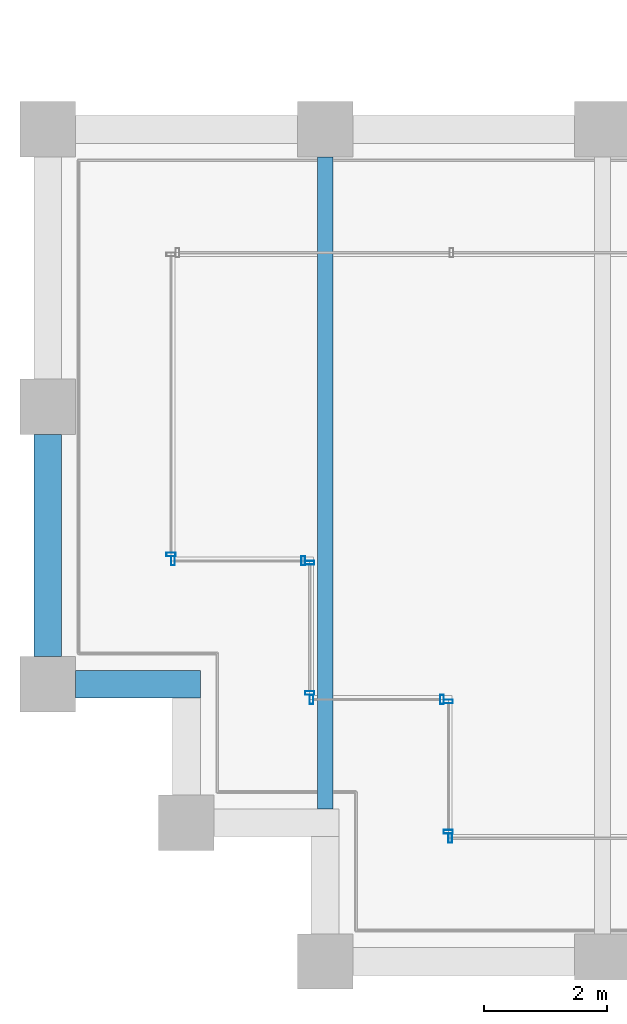
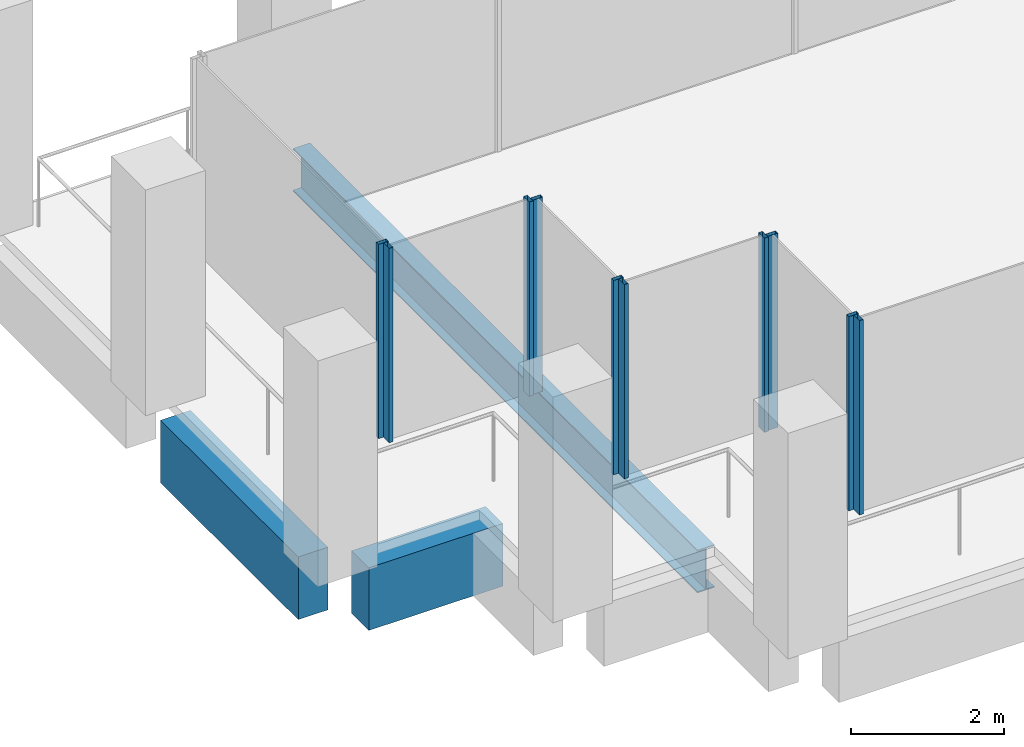
# One storey, part 2 of 40: 10 members, 3 beams, 6 elements without a shape of their own.
"""IFC4 building model written with IfcOpenShell, lengths in metres."""

from ifc_helpers import new_model, si_unit, direction, frame, origin, origin_2d, place, context, subcontext, project, spatial, rectangle, hollow_rectangle, i_section, extrude, material, material_profile, profile_set, type_object, element, aggregate, save


model = new_model("IFC4")

# Units and contexts
model_context = context("Model", 3, precision=1e-05, world=origin(), true_north=direction((0.0, 1.0)))
body_context = subcontext(model_context, "Body", "Model", "MODEL_VIEW")
ifc_project = project(units=[si_unit("LENGTHUNIT", "METRE"), si_unit("AREAUNIT", "SQUARE_METRE"), si_unit("VOLUMEUNIT", "CUBIC_METRE"), si_unit("PLANEANGLEUNIT", "RADIAN"), si_unit("MASSUNIT", "GRAM", prefix="KILO")], contexts=[model_context])

# Site, building, storey
site_placement = place(None, origin())
site = spatial("IfcSite", under=ifc_project, at=site_placement, CompositionType="ELEMENT")
building_placement = place(site_placement, origin())
building = spatial("IfcBuilding", under=site, at=building_placement, Name="Altepetl Exchange Towers", CompositionType="ELEMENT")
storey_placement = place(building_placement, frame((0.0, 0.0, 147.39990234375)))
storey = spatial("IfcBuildingStorey", under=building, at=storey_placement, Name="L36", CompositionType="ELEMENT", Elevation=147.39990234375)

# Beam
ifc_material_1 = material(Name="Steel S355", Category="steel")
ifc_material_profile_1 = material_profile(ifc_material_1, i_section(OverallWidth=0.25390625, OverallDepth=0.68408203125, WebThickness=0.012451171875, FlangeThickness=0.018798828125, at=origin_2d()), Name="W27X94")
ifc_profile_set_1 = profile_set([ifc_material_profile_1], Name="Steel S355")
beam_type_1 = type_object("IfcBeamType", Name="Floor beam W27X94", PredefinedType="BEAM", material=ifc_profile_set_1)
beam_1_placement = place(storey_placement, frame((31.5, 29.47509765625, -0.491943359375), z_axis=(0.0, 1.0, 0.0), x_axis=(-1.0, 0.0, 0.0)))
element("IfcBeam", 1, at=beam_1_placement, inside=storey, type_object=beam_type_1, Name="bm:A:L36:012", PredefinedType="BEAM", context=body_context, shape_type="SweptSolid", body=[
    extrude(i_section(OverallWidth=0.25390625, OverallDepth=0.68408203125, WebThickness=0.012451171875, FlangeThickness=0.018798828125, at=origin_2d()), origin(), (0.0, 0.0, 1.0), 10.574951171875),
])

# Curtain wall, member
ifc_material_2 = material(Name="Aluminium 6063-T6 glazing", Category="aluminium")
curtain_wall_type = type_object("IfcCurtainWallType", Name="Loggia glazing system", PredefinedType="NOTDEFINED", material=ifc_material_2)
curtain_wall_1_placement = place(storey_placement, origin())
curtain_wall_1 = element("IfcCurtainWall", 2, at=curtain_wall_1_placement, inside=storey, type_object=curtain_wall_type, Name="CW1 run", PredefinedType="NOTDEFINED")
ifc_material_3 = material(Name="Aluminium 6063-T6", Category="aluminium")
ifc_material_profile_2 = material_profile(ifc_material_3, hollow_rectangle(XDim=0.06005859375, YDim=0.14990234375, WallThickness=0.0029296875, at=origin_2d()), Name="Mullion 60x150 aluminium")
ifc_profile_set_2 = profile_set([ifc_material_profile_2], Name="Aluminium 6063-T6")
member_type = type_object("IfcMemberType", Name="Mullion 60x150 aluminium", PredefinedType="MULLION", material=ifc_profile_set_2)
member_1_placement = place(storey_placement, frame((29.0, 33.60498046875, 0.0), z_axis=(0.0, 0.0, 1.0), x_axis=(0.0, -1.0, 0.0)))
member_1 = element("IfcMember", 3, at=member_1_placement, type_object=member_type, Name="MU1 mullion", PredefinedType="MULLION", context=body_context, shape_type="SweptSolid", body=[
    extrude(hollow_rectangle(XDim=0.06005859375, YDim=0.14990234375, WallThickness=0.0029296875, at=origin_2d()), origin(), (0.0, 0.0, 1.0), 3.10009765625),
])
aggregate(curtain_wall_1, [member_1])

# Curtain wall, members
curtain_wall_2_placement = place(storey_placement, origin())
curtain_wall_2 = element("IfcCurtainWall", 4, at=curtain_wall_2_placement, inside=storey, type_object=curtain_wall_type, Name="CW1 run", PredefinedType="NOTDEFINED")
member_2_placement = place(storey_placement, frame((29.030029296875, 33.5, 0.0)))
member_2 = element("IfcMember", 5, at=member_2_placement, type_object=member_type, Name="MU1 mullion", PredefinedType="MULLION", context=body_context, shape_type="SweptSolid", body=[
    extrude(hollow_rectangle(XDim=0.06005859375, YDim=0.14990234375, WallThickness=0.0029296875, at=origin_2d()), origin(), (0.0, 0.0, 1.0), 3.10009765625),
])
member_3_placement = place(storey_placement, frame((31.14501953125, 33.5, 0.0)))
member_3 = element("IfcMember", 6, at=member_3_placement, type_object=member_type, Name="MU1 mullion", PredefinedType="MULLION", context=body_context, shape_type="SweptSolid", body=[
    extrude(hollow_rectangle(XDim=0.06005859375, YDim=0.14990234375, WallThickness=0.0029296875, at=origin_2d()), origin(), (0.0, 0.0, 1.0), 3.10009765625),
])
aggregate(curtain_wall_2, [member_2, member_3])

curtain_wall_3_placement = place(storey_placement, origin())
curtain_wall_3 = element("IfcCurtainWall", 7, at=curtain_wall_3_placement, inside=storey, type_object=curtain_wall_type, Name="CW1 run", PredefinedType="NOTDEFINED")
member_4_placement = place(storey_placement, frame((31.25, 33.469970703125, 0.0), z_axis=(0.0, 0.0, 1.0), x_axis=(0.0, -1.0, 0.0)))
member_4 = element("IfcMember", 8, at=member_4_placement, type_object=member_type, Name="MU1 mullion", PredefinedType="MULLION", context=body_context, shape_type="SweptSolid", body=[
    extrude(hollow_rectangle(XDim=0.06005859375, YDim=0.14990234375, WallThickness=0.0029296875, at=origin_2d()), origin(), (0.0, 0.0, 1.0), 3.10009765625),
])
member_5_placement = place(storey_placement, frame((31.25, 31.35498046875, 0.0), z_axis=(0.0, 0.0, 1.0), x_axis=(0.0, -1.0, 0.0)))
member_5 = element("IfcMember", 9, at=member_5_placement, type_object=member_type, Name="MU1 mullion", PredefinedType="MULLION", context=body_context, shape_type="SweptSolid", body=[
    extrude(hollow_rectangle(XDim=0.06005859375, YDim=0.14990234375, WallThickness=0.0029296875, at=origin_2d()), origin(), (0.0, 0.0, 1.0), 3.10009765625),
])
aggregate(curtain_wall_3, [member_4, member_5])

curtain_wall_4_placement = place(storey_placement, origin())
curtain_wall_4 = element("IfcCurtainWall", 10, at=curtain_wall_4_placement, inside=storey, type_object=curtain_wall_type, Name="CW1 run", PredefinedType="NOTDEFINED")
member_6_placement = place(storey_placement, frame((31.280029296875, 31.25, 0.0)))
member_6 = element("IfcMember", 11, at=member_6_placement, type_object=member_type, Name="MU1 mullion", PredefinedType="MULLION", context=body_context, shape_type="SweptSolid", body=[
    extrude(hollow_rectangle(XDim=0.06005859375, YDim=0.14990234375, WallThickness=0.0029296875, at=origin_2d()), origin(), (0.0, 0.0, 1.0), 3.10009765625),
])
member_7_placement = place(storey_placement, frame((33.39501953125, 31.25, 0.0)))
member_7 = element("IfcMember", 12, at=member_7_placement, type_object=member_type, Name="MU1 mullion", PredefinedType="MULLION", context=body_context, shape_type="SweptSolid", body=[
    extrude(hollow_rectangle(XDim=0.06005859375, YDim=0.14990234375, WallThickness=0.0029296875, at=origin_2d()), origin(), (0.0, 0.0, 1.0), 3.10009765625),
])
aggregate(curtain_wall_4, [member_6, member_7])

curtain_wall_5_placement = place(storey_placement, origin())
curtain_wall_5 = element("IfcCurtainWall", 13, at=curtain_wall_5_placement, inside=storey, type_object=curtain_wall_type, Name="CW1 run", PredefinedType="NOTDEFINED")
member_8_placement = place(storey_placement, frame((33.5, 31.219970703125, 0.0), z_axis=(0.0, 0.0, 1.0), x_axis=(0.0, -1.0, 0.0)))
member_8 = element("IfcMember", 14, at=member_8_placement, type_object=member_type, Name="MU1 mullion", PredefinedType="MULLION", context=body_context, shape_type="SweptSolid", body=[
    extrude(hollow_rectangle(XDim=0.06005859375, YDim=0.14990234375, WallThickness=0.0029296875, at=origin_2d()), origin(), (0.0, 0.0, 1.0), 3.10009765625),
])
member_9_placement = place(storey_placement, frame((33.5, 29.10498046875, 0.0), z_axis=(0.0, 0.0, 1.0), x_axis=(0.0, -1.0, 0.0)))
member_9 = element("IfcMember", 15, at=member_9_placement, type_object=member_type, Name="MU1 mullion", PredefinedType="MULLION", context=body_context, shape_type="SweptSolid", body=[
    extrude(hollow_rectangle(XDim=0.06005859375, YDim=0.14990234375, WallThickness=0.0029296875, at=origin_2d()), origin(), (0.0, 0.0, 1.0), 3.10009765625),
])
aggregate(curtain_wall_5, [member_8, member_9])

# Curtain wall, member
curtain_wall_6_placement = place(storey_placement, origin())
curtain_wall_6 = element("IfcCurtainWall", 16, at=curtain_wall_6_placement, inside=storey, type_object=curtain_wall_type, Name="CW1 run", PredefinedType="NOTDEFINED")
member_10_placement = place(storey_placement, frame((33.530029296875, 29.0, 0.0)))
member_10 = element("IfcMember", 17, at=member_10_placement, type_object=member_type, Name="MU1 mullion", PredefinedType="MULLION", context=body_context, shape_type="SweptSolid", body=[
    extrude(hollow_rectangle(XDim=0.06005859375, YDim=0.14990234375, WallThickness=0.0029296875, at=origin_2d()), origin(), (0.0, 0.0, 1.0), 3.10009765625),
])
aggregate(curtain_wall_6, [member_10])

# Beams
ifc_material_4 = material(Name="Concrete C50/60 precast with cantera blanca facing", Category="concrete")
ifc_material_profile_3 = material_profile(ifc_material_4, rectangle(XDim=0.449951171875, YDim=1.0, at=origin_2d()), Name="450 x 1000")
ifc_profile_set_3 = profile_set([ifc_material_profile_3], Name="Concrete C50/60 precast with cantera blanca facing")
beam_type_2 = type_object("IfcBeamType", Name="Spandrel beam 450x1000 cantera blanca", PredefinedType="SPANDREL", material=ifc_profile_set_3)
beam_2_placement = place(storey_placement, frame((27.0, 35.550048828125, -0.64990234375), z_axis=(0.0, -1.0, 0.0), x_axis=(1.0, 0.0, 0.0)))
element("IfcBeam", 18, at=beam_2_placement, inside=storey, type_object=beam_type_2, Name="sp:A:L36:037", PredefinedType="SPANDREL", context=body_context, shape_type="SweptSolid", body=[
    extrude(rectangle(XDim=0.449951171875, YDim=1.0, at=origin_2d()), origin(), (0.0, 0.0, 1.0), 3.60009765625),
])
beam_3_placement = place(storey_placement, frame((27.449951171875, 31.5, -0.64990234375), z_axis=(1.0, 0.0, 0.0), x_axis=(0.0, 1.0, 0.0)))
element("IfcBeam", 19, at=beam_3_placement, inside=storey, type_object=beam_type_2, Name="sp:A:L36:038", PredefinedType="SPANDREL", context=body_context, shape_type="SweptSolid", body=[
    extrude(rectangle(XDim=0.449951171875, YDim=1.0, at=origin_2d()), origin(), (0.0, 0.0, 1.0), 2.025146484375),
])

save(model, "model.ifc")
